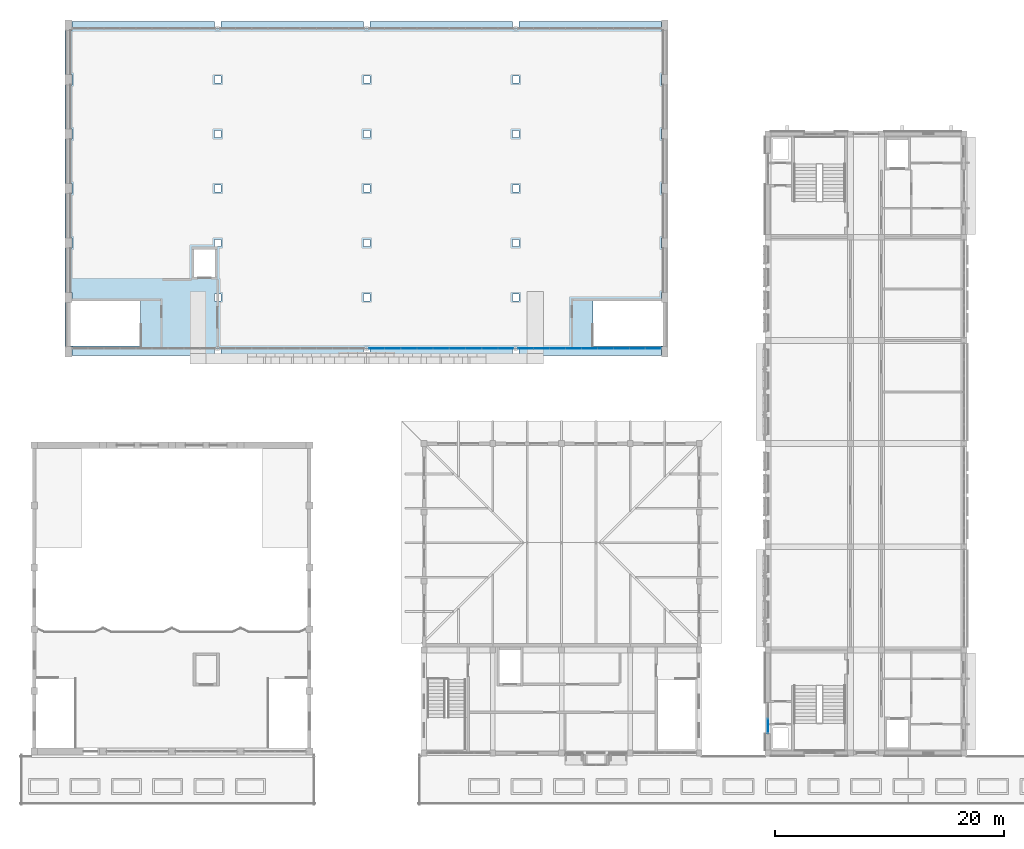
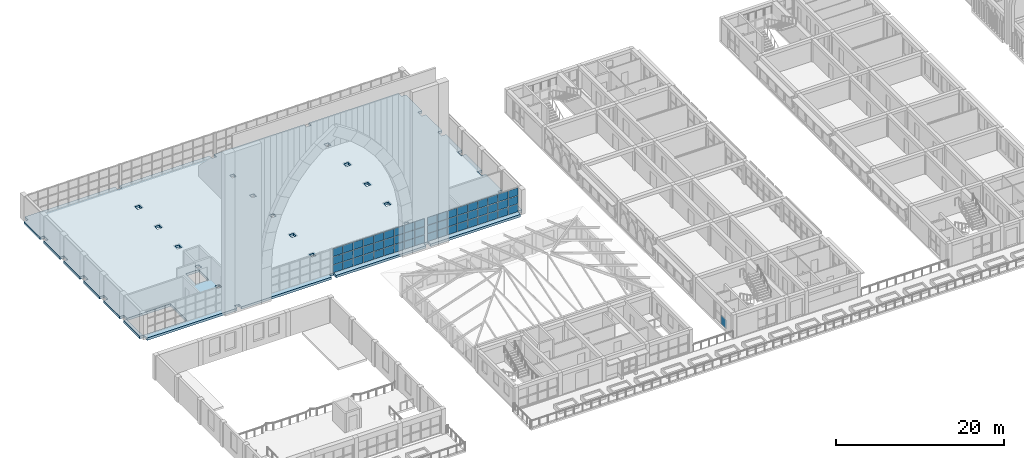
# One storey, part 36 of 82: 55 plates, 1 slab, 3 elements without a shape of their own.
"""IFC4 building model written with IfcOpenShell, lengths in metres."""

from ifc_helpers import new_model, si_unit, direction, frame, origin, origin_2d, place, context, subcontext, project, spatial, polyline, rectangle, outline, extrude, material, layer, layer_set, type_object, element, aggregate, save


model = new_model("IFC4")

# Units and contexts
model_context = context("Model", 3, precision=1e-05, world=origin(), true_north=direction((0.0, 1.0)))
body_context = subcontext(model_context, "Body", "Model", "MODEL_VIEW")
ifc_project = project(units=[si_unit("LENGTHUNIT", "METRE"), si_unit("AREAUNIT", "SQUARE_METRE"), si_unit("VOLUMEUNIT", "CUBIC_METRE"), si_unit("PLANEANGLEUNIT", "RADIAN"), si_unit("MASSUNIT", "GRAM", prefix="KILO")], contexts=[model_context])

# Site, building, storey
site_placement = place(None, origin())
site = spatial("IfcSite", under=ifc_project, at=site_placement, CompositionType="ELEMENT")
building_placement = place(site_placement, origin())
building = spatial("IfcBuilding", under=site, at=building_placement, Name="Elbe Cascade School", CompositionType="ELEMENT")
storey_placement = place(building_placement, frame((0.0, 0.0, 4.5)))
storey = spatial("IfcBuildingStorey", under=building, at=storey_placement, Name="L01", CompositionType="ELEMENT", Elevation=4.5)

# Curtain wall, plate
ifc_material_1 = material(Name="Aluminium frame with double glazing, bronze anodised", Category="aluminium")
ifc_layer_1 = layer(ifc_material_1, 0.159912109375)
ifc_layer_set_1 = layer_set([ifc_layer_1], Name="Aluminium frame with double glazing, bronze anodised")
curtain_wall_type_1 = type_object("IfcCurtainWallType", Name="Bars envelope Curtain wall, aluminium, bronze anodised, storey-high slot", PredefinedType="NOTDEFINED", material=ifc_layer_set_1)
curtain_wall_1_placement = place(storey_placement, origin())
curtain_wall_1 = element("IfcCurtainWall", 1, at=curtain_wall_1_placement, inside=storey, type_object=curtain_wall_type_1, Name="Curtain wall CW4 A.L01.w1", PredefinedType="NOTDEFINED")
ifc_material_2 = material(Name="Glass - double glazed low-E", Category="glass")
ifc_layer_2 = layer(ifc_material_2, 0.028076171875)
ifc_layer_set_2 = layer_set([ifc_layer_2], Name="Glass - double glazed low-E")
plate_type_1 = type_object("IfcPlateType", Name="Bars envelope Curtain wall glazing panel 28 mm, double glazed, storey-high slot", PredefinedType="CURTAIN_PANEL", material=ifc_layer_set_2)
plate_1_placement = place(storey_placement, frame((69.0, 8.3798828125, 0.06005859375), z_axis=(0.0, 0.0, 1.0), x_axis=(0.0, 1.0, 0.0)))
plate_1 = element("IfcPlate", 2, at=plate_1_placement, type_object=plate_type_1, Name="CW4 panel 1.1", PredefinedType="CURTAIN_PANEL", context=body_context, shape_type="SweptSolid", body=[
    extrude(rectangle(XDim=1.260009765625, YDim=0.028076171875, at=origin_2d()), origin(), (0.0, 0.0, 1.0), 1.260009765625),
])
aggregate(curtain_wall_1, [plate_1])

# Slab
ifc_material_3 = material(Name="Concrete C35/45", Category="concrete")
ifc_layer_3 = layer(ifc_material_3, 0.35009765625)
ifc_layer_set_3 = layer_set([ifc_layer_3], Name="Concrete C35/45")
slab_type = type_object("IfcSlabType", Name="Hall floor slab Concrete C35/45", PredefinedType="FLOOR", material=ifc_layer_set_3)
slab_placement = place(storey_placement, frame((0.0, 0.0, -0.35009765625)))
element("IfcSlab", 3, at=slab_placement, inside=storey, type_object=slab_type, Name="Hall floor slab", PredefinedType="FLOOR", context=body_context, shape_type="SweptSolid", body=[
    extrude(outline(polyline([(60.300048828125, 41.449951171875), (59.699951171875, 41.449951171875), (59.699951171875, 40.699951171875), (47.300048828125, 40.699951171875), (47.300048828125, 41.300048828125), (46.699951171875, 41.300048828125), (46.699951171875, 40.699951171875), (34.300048828125, 40.699951171875), (34.300048828125, 41.300048828125), (33.699951171875, 41.300048828125), (33.699951171875, 40.699951171875), (21.300048828125, 40.699951171875), (21.300048828125, 41.300048828125), (20.699951171875, 41.300048828125), (20.699951171875, 40.699951171875), (8.300048828125, 40.699951171875), (8.300048828125, 41.449951171875), (7.699951171875, 41.449951171875), (7.699951171875, 45.300048828125), (8.14990234375, 45.300048828125), (8.14990234375, 41.5), (14.280029296875, 41.5), (14.280029296875, 45.449951171875), (8.300048828125, 45.449951171875), (8.300048828125, 46.199951171875), (7.699951171875, 46.199951171875), (7.699951171875, 50.050048828125), (8.300048828125, 50.050048828125), (8.300048828125, 50.949951171875), (7.699951171875, 50.949951171875), (7.699951171875, 54.800048828125), (8.300048828125, 54.800048828125), (8.300048828125, 55.699951171875), (7.699951171875, 55.699951171875), (7.699951171875, 59.550048828125), (8.300048828125, 59.550048828125), (8.300048828125, 60.449951171875), (7.699951171875, 60.449951171875), (7.699951171875, 64.300048828125), (8.300048828125, 64.300048828125), (8.300048828125, 65.199951171875), (7.699951171875, 65.199951171875), (7.699951171875, 69.050048828125), (8.300048828125, 69.050048828125), (8.300048828125, 69.800048828125), (20.699951171875, 69.800048828125), (20.699951171875, 69.199951171875), (21.300048828125, 69.199951171875), (21.300048828125, 69.800048828125), (33.699951171875, 69.800048828125), (33.699951171875, 69.199951171875), (34.300048828125, 69.199951171875), (34.300048828125, 69.800048828125), (46.699951171875, 69.800048828125), (46.699951171875, 69.199951171875), (47.300048828125, 69.199951171875), (47.300048828125, 69.800048828125), (59.699951171875, 69.800048828125), (59.699951171875, 69.050048828125), (60.300048828125, 69.050048828125), (60.300048828125, 65.199951171875), (59.699951171875, 65.199951171875), (59.699951171875, 64.300048828125), (60.300048828125, 64.300048828125), (60.300048828125, 60.449951171875), (59.699951171875, 60.449951171875), (59.699951171875, 59.550048828125), (60.300048828125, 59.550048828125), (60.300048828125, 55.699951171875), (59.699951171875, 55.699951171875), (59.699951171875, 54.800048828125), (60.300048828125, 54.800048828125), (60.300048828125, 50.949951171875), (59.699951171875, 50.949951171875), (59.699951171875, 50.050048828125), (60.300048828125, 50.050048828125), (60.300048828125, 46.199951171875), (59.699951171875, 46.199951171875), (59.699951171875, 45.449951171875), (53.719970703125, 45.449951171875), (53.719970703125, 41.5), (59.85009765625, 41.5), (59.85009765625, 45.300048828125), (60.300048828125, 45.300048828125), (60.300048828125, 41.449951171875)]), holes=[polyline([(21.300048828125, 45.449951171875), (21.300048828125, 46.050048828125), (20.699951171875, 46.050048828125), (20.699951171875, 45.449951171875), (21.300048828125, 45.449951171875)]), polyline([(20.75, 47.550048828125), (20.75, 49.949951171875), (18.949951171875, 49.949951171875), (18.949951171875, 47.550048828125), (20.75, 47.550048828125)]), polyline([(20.699951171875, 50.199951171875), (21.300048828125, 50.199951171875), (21.300048828125, 50.800048828125), (20.699951171875, 50.800048828125), (20.699951171875, 50.199951171875)]), polyline([(21.300048828125, 54.949951171875), (21.300048828125, 55.550048828125), (20.699951171875, 55.550048828125), (20.699951171875, 54.949951171875), (21.300048828125, 54.949951171875)]), polyline([(21.300048828125, 59.699951171875), (21.300048828125, 60.300048828125), (20.699951171875, 60.300048828125), (20.699951171875, 59.699951171875), (21.300048828125, 59.699951171875)]), polyline([(33.699951171875, 59.699951171875), (34.300048828125, 59.699951171875), (34.300048828125, 60.300048828125), (33.699951171875, 60.300048828125), (33.699951171875, 59.699951171875)]), polyline([(21.300048828125, 64.449951171875), (21.300048828125, 65.050048828125), (20.699951171875, 65.050048828125), (20.699951171875, 64.449951171875), (21.300048828125, 64.449951171875)]), polyline([(34.300048828125, 64.449951171875), (34.300048828125, 65.050048828125), (33.699951171875, 65.050048828125), (33.699951171875, 64.449951171875), (34.300048828125, 64.449951171875)]), polyline([(34.300048828125, 45.449951171875), (34.300048828125, 46.050048828125), (33.699951171875, 46.050048828125), (33.699951171875, 45.449951171875), (34.300048828125, 45.449951171875)]), polyline([(47.300048828125, 45.449951171875), (47.300048828125, 46.050048828125), (46.699951171875, 46.050048828125), (46.699951171875, 45.449951171875), (47.300048828125, 45.449951171875)]), polyline([(33.699951171875, 50.199951171875), (34.300048828125, 50.199951171875), (34.300048828125, 50.800048828125), (33.699951171875, 50.800048828125), (33.699951171875, 50.199951171875)]), polyline([(47.300048828125, 50.199951171875), (47.300048828125, 50.800048828125), (46.699951171875, 50.800048828125), (46.699951171875, 50.199951171875), (47.300048828125, 50.199951171875)]), polyline([(47.300048828125, 54.949951171875), (47.300048828125, 55.550048828125), (46.699951171875, 55.550048828125), (46.699951171875, 54.949951171875), (47.300048828125, 54.949951171875)]), polyline([(34.300048828125, 54.949951171875), (34.300048828125, 55.550048828125), (33.699951171875, 55.550048828125), (33.699951171875, 54.949951171875), (34.300048828125, 54.949951171875)]), polyline([(46.699951171875, 59.699951171875), (47.300048828125, 59.699951171875), (47.300048828125, 60.300048828125), (46.699951171875, 60.300048828125), (46.699951171875, 59.699951171875)]), polyline([(47.300048828125, 64.449951171875), (47.300048828125, 65.050048828125), (46.699951171875, 65.050048828125), (46.699951171875, 64.449951171875), (47.300048828125, 64.449951171875)])]), origin(), (0.0, 0.0, 1.0), 0.35009765625),
])

# Curtain wall, plates
ifc_material_4 = material(Name="Glass - double glazed low-E", Category="glass")
curtain_wall_type_2 = type_object("IfcCurtainWallType", Name="Hall gable curtain wall", PredefinedType="NOTDEFINED", material=ifc_material_4)
curtain_wall_2_placement = place(storey_placement, origin())
curtain_wall_2 = element("IfcCurtainWall", 4, at=curtain_wall_2_placement, inside=storey, type_object=curtain_wall_type_2, Name="Gable curtain wall S3", PredefinedType="NOTDEFINED")
ifc_material_5 = material(Name="Glass - double glazed low-E", Category="glass")
ifc_layer_4 = layer(ifc_material_5, 0.028076171875)
ifc_layer_set_4 = layer_set([ifc_layer_4], Name="Glass - double glazed low-E")
plate_type_2 = type_object("IfcPlateType", Name="Hall gable glass panel", PredefinedType="CURTAIN_PANEL", material=ifc_layer_set_4)
plate_2_placement = place(storey_placement, frame((34.87060546875, 41.300048828125, 0.06005859375), z_axis=(0.0, 0.0, 1.0), x_axis=(1.0, 0.0, 0.0)))
plate_2 = element("IfcPlate", 5, at=plate_2_placement, type_object=plate_type_2, Name="CW6 panel 1.1", PredefinedType="CURTAIN_PANEL", context=body_context, shape_type="SweptSolid", body=[
    extrude(rectangle(XDim=1.321044921875, YDim=0.028076171875, at=origin_2d()), origin(), (0.0, 0.0, 1.0), 1.110107421875),
])
plate_3_placement = place(storey_placement, frame((34.87060546875, 41.300048828125, 1.22998046875), z_axis=(0.0, 0.0, 1.0), x_axis=(1.0, 0.0, 0.0)))
plate_3 = element("IfcPlate", 6, at=plate_3_placement, type_object=plate_type_2, Name="CW6 panel 1.2", PredefinedType="CURTAIN_PANEL", context=body_context, shape_type="SweptSolid", body=[
    extrude(rectangle(XDim=1.321044921875, YDim=0.028076171875, at=origin_2d()), origin(), (0.0, 0.0, 1.0), 1.139892578125),
])
plate_4_placement = place(storey_placement, frame((34.87060546875, 41.300048828125, 2.43017578125), z_axis=(0.0, 0.0, 1.0), x_axis=(1.0, 0.0, 0.0)))
plate_4 = element("IfcPlate", 7, at=plate_4_placement, type_object=plate_type_2, Name="CW6 panel 1.3", PredefinedType="CURTAIN_PANEL", context=body_context, shape_type="SweptSolid", body=[
    extrude(rectangle(XDim=1.321044921875, YDim=0.028076171875, at=origin_2d()), origin(), (0.0, 0.0, 1.0), 1.110107421875),
])
plate_5_placement = place(storey_placement, frame((36.2666015625, 41.300048828125, 0.06005859375), z_axis=(0.0, 0.0, 1.0), x_axis=(1.0, 0.0, 0.0)))
plate_5 = element("IfcPlate", 8, at=plate_5_placement, type_object=plate_type_2, Name="CW6 panel 2.1", PredefinedType="CURTAIN_PANEL", context=body_context, shape_type="SweptSolid", body=[
    extrude(rectangle(XDim=1.35107421875, YDim=0.028076171875, at=origin_2d()), origin(), (0.0, 0.0, 1.0), 1.110107421875),
])
plate_6_placement = place(storey_placement, frame((36.2666015625, 41.300048828125, 1.22998046875), z_axis=(0.0, 0.0, 1.0), x_axis=(1.0, 0.0, 0.0)))
plate_6 = element("IfcPlate", 9, at=plate_6_placement, type_object=plate_type_2, Name="CW6 panel 2.2", PredefinedType="CURTAIN_PANEL", context=body_context, shape_type="SweptSolid", body=[
    extrude(rectangle(XDim=1.35107421875, YDim=0.028076171875, at=origin_2d()), origin(), (0.0, 0.0, 1.0), 1.139892578125),
])
plate_7_placement = place(storey_placement, frame((36.2666015625, 41.300048828125, 2.43017578125), z_axis=(0.0, 0.0, 1.0), x_axis=(1.0, 0.0, 0.0)))
plate_7 = element("IfcPlate", 10, at=plate_7_placement, type_object=plate_type_2, Name="CW6 panel 2.3", PredefinedType="CURTAIN_PANEL", context=body_context, shape_type="SweptSolid", body=[
    extrude(rectangle(XDim=1.35107421875, YDim=0.028076171875, at=origin_2d()), origin(), (0.0, 0.0, 1.0), 1.110107421875),
])
plate_8_placement = place(storey_placement, frame((37.677734375, 41.300048828125, 0.06005859375), z_axis=(0.0, 0.0, 1.0), x_axis=(1.0, 0.0, 0.0)))
plate_8 = element("IfcPlate", 11, at=plate_8_placement, type_object=plate_type_2, Name="CW6 panel 3.1", PredefinedType="CURTAIN_PANEL", context=body_context, shape_type="SweptSolid", body=[
    extrude(rectangle(XDim=1.35107421875, YDim=0.028076171875, at=origin_2d()), origin(), (0.0, 0.0, 1.0), 1.110107421875),
])
plate_9_placement = place(storey_placement, frame((37.677734375, 41.300048828125, 1.22998046875), z_axis=(0.0, 0.0, 1.0), x_axis=(1.0, 0.0, 0.0)))
plate_9 = element("IfcPlate", 12, at=plate_9_placement, type_object=plate_type_2, Name="CW6 panel 3.2", PredefinedType="CURTAIN_PANEL", context=body_context, shape_type="SweptSolid", body=[
    extrude(rectangle(XDim=1.35107421875, YDim=0.028076171875, at=origin_2d()), origin(), (0.0, 0.0, 1.0), 1.139892578125),
])
plate_10_placement = place(storey_placement, frame((37.677734375, 41.300048828125, 2.43017578125), z_axis=(0.0, 0.0, 1.0), x_axis=(1.0, 0.0, 0.0)))
plate_10 = element("IfcPlate", 13, at=plate_10_placement, type_object=plate_type_2, Name="CW6 panel 3.3", PredefinedType="CURTAIN_PANEL", context=body_context, shape_type="SweptSolid", body=[
    extrude(rectangle(XDim=1.35107421875, YDim=0.028076171875, at=origin_2d()), origin(), (0.0, 0.0, 1.0), 1.110107421875),
])
plate_11_placement = place(storey_placement, frame((39.0888671875, 41.300048828125, 0.06005859375), z_axis=(0.0, 0.0, 1.0), x_axis=(1.0, 0.0, 0.0)))
plate_11 = element("IfcPlate", 14, at=plate_11_placement, type_object=plate_type_2, Name="CW6 panel 4.1", PredefinedType="CURTAIN_PANEL", context=body_context, shape_type="SweptSolid", body=[
    extrude(rectangle(XDim=1.35107421875, YDim=0.028076171875, at=origin_2d()), origin(), (0.0, 0.0, 1.0), 1.110107421875),
])
plate_12_placement = place(storey_placement, frame((39.0888671875, 41.300048828125, 1.22998046875), z_axis=(0.0, 0.0, 1.0), x_axis=(1.0, 0.0, 0.0)))
plate_12 = element("IfcPlate", 15, at=plate_12_placement, type_object=plate_type_2, Name="CW6 panel 4.2", PredefinedType="CURTAIN_PANEL", context=body_context, shape_type="SweptSolid", body=[
    extrude(rectangle(XDim=1.35107421875, YDim=0.028076171875, at=origin_2d()), origin(), (0.0, 0.0, 1.0), 1.139892578125),
])
plate_13_placement = place(storey_placement, frame((39.0888671875, 41.300048828125, 2.43017578125), z_axis=(0.0, 0.0, 1.0), x_axis=(1.0, 0.0, 0.0)))
plate_13 = element("IfcPlate", 16, at=plate_13_placement, type_object=plate_type_2, Name="CW6 panel 4.3", PredefinedType="CURTAIN_PANEL", context=body_context, shape_type="SweptSolid", body=[
    extrude(rectangle(XDim=1.35107421875, YDim=0.028076171875, at=origin_2d()), origin(), (0.0, 0.0, 1.0), 1.110107421875),
])
plate_14_placement = place(storey_placement, frame((40.5, 41.300048828125, 0.06005859375), z_axis=(0.0, 0.0, 1.0), x_axis=(1.0, 0.0, 0.0)))
plate_14 = element("IfcPlate", 17, at=plate_14_placement, type_object=plate_type_2, Name="CW6 panel 5.1", PredefinedType="CURTAIN_PANEL", context=body_context, shape_type="SweptSolid", body=[
    extrude(rectangle(XDim=1.35107421875, YDim=0.028076171875, at=origin_2d()), origin(), (0.0, 0.0, 1.0), 1.110107421875),
])
plate_15_placement = place(storey_placement, frame((40.5, 41.300048828125, 1.22998046875), z_axis=(0.0, 0.0, 1.0), x_axis=(1.0, 0.0, 0.0)))
plate_15 = element("IfcPlate", 18, at=plate_15_placement, type_object=plate_type_2, Name="CW6 panel 5.2", PredefinedType="CURTAIN_PANEL", context=body_context, shape_type="SweptSolid", body=[
    extrude(rectangle(XDim=1.35107421875, YDim=0.028076171875, at=origin_2d()), origin(), (0.0, 0.0, 1.0), 1.139892578125),
])
plate_16_placement = place(storey_placement, frame((40.5, 41.300048828125, 2.43017578125), z_axis=(0.0, 0.0, 1.0), x_axis=(1.0, 0.0, 0.0)))
plate_16 = element("IfcPlate", 19, at=plate_16_placement, type_object=plate_type_2, Name="CW6 panel 5.3", PredefinedType="CURTAIN_PANEL", context=body_context, shape_type="SweptSolid", body=[
    extrude(rectangle(XDim=1.35107421875, YDim=0.028076171875, at=origin_2d()), origin(), (0.0, 0.0, 1.0), 1.110107421875),
])
plate_17_placement = place(storey_placement, frame((41.9111328125, 41.300048828125, 0.06005859375), z_axis=(0.0, 0.0, 1.0), x_axis=(1.0, 0.0, 0.0)))
plate_17 = element("IfcPlate", 20, at=plate_17_placement, type_object=plate_type_2, Name="CW6 panel 6.1", PredefinedType="CURTAIN_PANEL", context=body_context, shape_type="SweptSolid", body=[
    extrude(rectangle(XDim=1.35107421875, YDim=0.028076171875, at=origin_2d()), origin(), (0.0, 0.0, 1.0), 1.110107421875),
])
plate_18_placement = place(storey_placement, frame((41.9111328125, 41.300048828125, 1.22998046875), z_axis=(0.0, 0.0, 1.0), x_axis=(1.0, 0.0, 0.0)))
plate_18 = element("IfcPlate", 21, at=plate_18_placement, type_object=plate_type_2, Name="CW6 panel 6.2", PredefinedType="CURTAIN_PANEL", context=body_context, shape_type="SweptSolid", body=[
    extrude(rectangle(XDim=1.35107421875, YDim=0.028076171875, at=origin_2d()), origin(), (0.0, 0.0, 1.0), 1.139892578125),
])
plate_19_placement = place(storey_placement, frame((41.9111328125, 41.300048828125, 2.43017578125), z_axis=(0.0, 0.0, 1.0), x_axis=(1.0, 0.0, 0.0)))
plate_19 = element("IfcPlate", 22, at=plate_19_placement, type_object=plate_type_2, Name="CW6 panel 6.3", PredefinedType="CURTAIN_PANEL", context=body_context, shape_type="SweptSolid", body=[
    extrude(rectangle(XDim=1.35107421875, YDim=0.028076171875, at=origin_2d()), origin(), (0.0, 0.0, 1.0), 1.110107421875),
])
plate_20_placement = place(storey_placement, frame((43.322265625, 41.300048828125, 0.06005859375), z_axis=(0.0, 0.0, 1.0), x_axis=(1.0, 0.0, 0.0)))
plate_20 = element("IfcPlate", 23, at=plate_20_placement, type_object=plate_type_2, Name="CW6 panel 7.1", PredefinedType="CURTAIN_PANEL", context=body_context, shape_type="SweptSolid", body=[
    extrude(rectangle(XDim=1.35107421875, YDim=0.028076171875, at=origin_2d()), origin(), (0.0, 0.0, 1.0), 1.110107421875),
])
plate_21_placement = place(storey_placement, frame((43.322265625, 41.300048828125, 1.22998046875), z_axis=(0.0, 0.0, 1.0), x_axis=(1.0, 0.0, 0.0)))
plate_21 = element("IfcPlate", 24, at=plate_21_placement, type_object=plate_type_2, Name="CW6 panel 7.2", PredefinedType="CURTAIN_PANEL", context=body_context, shape_type="SweptSolid", body=[
    extrude(rectangle(XDim=1.35107421875, YDim=0.028076171875, at=origin_2d()), origin(), (0.0, 0.0, 1.0), 1.139892578125),
])
plate_22_placement = place(storey_placement, frame((43.322265625, 41.300048828125, 2.43017578125), z_axis=(0.0, 0.0, 1.0), x_axis=(1.0, 0.0, 0.0)))
plate_22 = element("IfcPlate", 25, at=plate_22_placement, type_object=plate_type_2, Name="CW6 panel 7.3", PredefinedType="CURTAIN_PANEL", context=body_context, shape_type="SweptSolid", body=[
    extrude(rectangle(XDim=1.35107421875, YDim=0.028076171875, at=origin_2d()), origin(), (0.0, 0.0, 1.0), 1.110107421875),
])
plate_23_placement = place(storey_placement, frame((44.7333984375, 41.300048828125, 0.06005859375), z_axis=(0.0, 0.0, 1.0), x_axis=(1.0, 0.0, 0.0)))
plate_23 = element("IfcPlate", 26, at=plate_23_placement, type_object=plate_type_2, Name="CW6 panel 8.1", PredefinedType="CURTAIN_PANEL", context=body_context, shape_type="SweptSolid", body=[
    extrude(rectangle(XDim=1.35107421875, YDim=0.028076171875, at=origin_2d()), origin(), (0.0, 0.0, 1.0), 1.110107421875),
])
plate_24_placement = place(storey_placement, frame((44.7333984375, 41.300048828125, 1.22998046875), z_axis=(0.0, 0.0, 1.0), x_axis=(1.0, 0.0, 0.0)))
plate_24 = element("IfcPlate", 27, at=plate_24_placement, type_object=plate_type_2, Name="CW6 panel 8.2", PredefinedType="CURTAIN_PANEL", context=body_context, shape_type="SweptSolid", body=[
    extrude(rectangle(XDim=1.35107421875, YDim=0.028076171875, at=origin_2d()), origin(), (0.0, 0.0, 1.0), 1.139892578125),
])
plate_25_placement = place(storey_placement, frame((44.7333984375, 41.300048828125, 2.43017578125), z_axis=(0.0, 0.0, 1.0), x_axis=(1.0, 0.0, 0.0)))
plate_25 = element("IfcPlate", 28, at=plate_25_placement, type_object=plate_type_2, Name="CW6 panel 8.3", PredefinedType="CURTAIN_PANEL", context=body_context, shape_type="SweptSolid", body=[
    extrude(rectangle(XDim=1.35107421875, YDim=0.028076171875, at=origin_2d()), origin(), (0.0, 0.0, 1.0), 1.110107421875),
])
plate_26_placement = place(storey_placement, frame((46.12939453125, 41.300048828125, 0.06005859375), z_axis=(0.0, 0.0, 1.0), x_axis=(1.0, 0.0, 0.0)))
plate_26 = element("IfcPlate", 29, at=plate_26_placement, type_object=plate_type_2, Name="CW6 panel 9.1", PredefinedType="CURTAIN_PANEL", context=body_context, shape_type="SweptSolid", body=[
    extrude(rectangle(XDim=1.321044921875, YDim=0.028076171875, at=origin_2d()), origin(), (0.0, 0.0, 1.0), 1.110107421875),
])
plate_27_placement = place(storey_placement, frame((46.12939453125, 41.300048828125, 1.22998046875), z_axis=(0.0, 0.0, 1.0), x_axis=(1.0, 0.0, 0.0)))
plate_27 = element("IfcPlate", 30, at=plate_27_placement, type_object=plate_type_2, Name="CW6 panel 9.2", PredefinedType="CURTAIN_PANEL", context=body_context, shape_type="SweptSolid", body=[
    extrude(rectangle(XDim=1.321044921875, YDim=0.028076171875, at=origin_2d()), origin(), (0.0, 0.0, 1.0), 1.139892578125),
])
plate_28_placement = place(storey_placement, frame((46.12939453125, 41.300048828125, 2.43017578125), z_axis=(0.0, 0.0, 1.0), x_axis=(1.0, 0.0, 0.0)))
plate_28 = element("IfcPlate", 31, at=plate_28_placement, type_object=plate_type_2, Name="CW6 panel 9.3", PredefinedType="CURTAIN_PANEL", context=body_context, shape_type="SweptSolid", body=[
    extrude(rectangle(XDim=1.321044921875, YDim=0.028076171875, at=origin_2d()), origin(), (0.0, 0.0, 1.0), 1.110107421875),
])
aggregate(curtain_wall_2, [plate_2, plate_3, plate_4, plate_5, plate_6, plate_7, plate_8, plate_9, plate_10, plate_11, plate_12, plate_13, plate_14, plate_15, plate_16, plate_17, plate_18, plate_19, plate_20, plate_21, plate_22, plate_23, plate_24, plate_25, plate_26, plate_27, plate_28])

curtain_wall_3_placement = place(storey_placement, origin())
curtain_wall_3 = element("IfcCurtainWall", 32, at=curtain_wall_3_placement, inside=storey, type_object=curtain_wall_type_2, Name="Gable curtain wall S4", PredefinedType="NOTDEFINED")
plate_29_placement = place(storey_placement, frame((47.8623046875, 41.300048828125, 0.06005859375), z_axis=(0.0, 0.0, 1.0), x_axis=(1.0, 0.0, 0.0)))
plate_29 = element("IfcPlate", 33, at=plate_29_placement, type_object=plate_type_2, Name="CW6 panel 1.1", PredefinedType="CURTAIN_PANEL", context=body_context, shape_type="SweptSolid", body=[
    extrude(rectangle(XDim=1.304443359375, YDim=0.028076171875, at=origin_2d()), origin(), (0.0, 0.0, 1.0), 1.110107421875),
])
plate_30_placement = place(storey_placement, frame((47.8623046875, 41.300048828125, 1.22998046875), z_axis=(0.0, 0.0, 1.0), x_axis=(1.0, 0.0, 0.0)))
plate_30 = element("IfcPlate", 34, at=plate_30_placement, type_object=plate_type_2, Name="CW6 panel 1.2", PredefinedType="CURTAIN_PANEL", context=body_context, shape_type="SweptSolid", body=[
    extrude(rectangle(XDim=1.304443359375, YDim=0.028076171875, at=origin_2d()), origin(), (0.0, 0.0, 1.0), 1.139892578125),
])
plate_31_placement = place(storey_placement, frame((47.8623046875, 41.300048828125, 2.43017578125), z_axis=(0.0, 0.0, 1.0), x_axis=(1.0, 0.0, 0.0)))
plate_31 = element("IfcPlate", 35, at=plate_31_placement, type_object=plate_type_2, Name="CW6 panel 1.3", PredefinedType="CURTAIN_PANEL", context=body_context, shape_type="SweptSolid", body=[
    extrude(rectangle(XDim=1.304443359375, YDim=0.028076171875, at=origin_2d()), origin(), (0.0, 0.0, 1.0), 1.110107421875),
])
plate_32_placement = place(storey_placement, frame((49.24169921875, 41.300048828125, 0.06005859375), z_axis=(0.0, 0.0, 1.0), x_axis=(1.0, 0.0, 0.0)))
plate_32 = element("IfcPlate", 36, at=plate_32_placement, type_object=plate_type_2, Name="CW6 panel 2.1", PredefinedType="CURTAIN_PANEL", context=body_context, shape_type="SweptSolid", body=[
    extrude(rectangle(XDim=1.33447265625, YDim=0.028076171875, at=origin_2d()), origin(), (0.0, 0.0, 1.0), 1.110107421875),
])
plate_33_placement = place(storey_placement, frame((49.24169921875, 41.300048828125, 1.22998046875), z_axis=(0.0, 0.0, 1.0), x_axis=(1.0, 0.0, 0.0)))
plate_33 = element("IfcPlate", 37, at=plate_33_placement, type_object=plate_type_2, Name="CW6 panel 2.2", PredefinedType="CURTAIN_PANEL", context=body_context, shape_type="SweptSolid", body=[
    extrude(rectangle(XDim=1.33447265625, YDim=0.028076171875, at=origin_2d()), origin(), (0.0, 0.0, 1.0), 1.139892578125),
])
plate_34_placement = place(storey_placement, frame((49.24169921875, 41.300048828125, 2.43017578125), z_axis=(0.0, 0.0, 1.0), x_axis=(1.0, 0.0, 0.0)))
plate_34 = element("IfcPlate", 38, at=plate_34_placement, type_object=plate_type_2, Name="CW6 panel 2.3", PredefinedType="CURTAIN_PANEL", context=body_context, shape_type="SweptSolid", body=[
    extrude(rectangle(XDim=1.33447265625, YDim=0.028076171875, at=origin_2d()), origin(), (0.0, 0.0, 1.0), 1.110107421875),
])
plate_35_placement = place(storey_placement, frame((50.63623046875, 41.300048828125, 0.06005859375), z_axis=(0.0, 0.0, 1.0), x_axis=(1.0, 0.0, 0.0)))
plate_35 = element("IfcPlate", 39, at=plate_35_placement, type_object=plate_type_2, Name="CW6 panel 3.1", PredefinedType="CURTAIN_PANEL", context=body_context, shape_type="SweptSolid", body=[
    extrude(rectangle(XDim=1.33447265625, YDim=0.028076171875, at=origin_2d()), origin(), (0.0, 0.0, 1.0), 1.110107421875),
])
plate_36_placement = place(storey_placement, frame((50.63623046875, 41.300048828125, 1.22998046875), z_axis=(0.0, 0.0, 1.0), x_axis=(1.0, 0.0, 0.0)))
plate_36 = element("IfcPlate", 40, at=plate_36_placement, type_object=plate_type_2, Name="CW6 panel 3.2", PredefinedType="CURTAIN_PANEL", context=body_context, shape_type="SweptSolid", body=[
    extrude(rectangle(XDim=1.33447265625, YDim=0.028076171875, at=origin_2d()), origin(), (0.0, 0.0, 1.0), 1.139892578125),
])
plate_37_placement = place(storey_placement, frame((50.63623046875, 41.300048828125, 2.43017578125), z_axis=(0.0, 0.0, 1.0), x_axis=(1.0, 0.0, 0.0)))
plate_37 = element("IfcPlate", 41, at=plate_37_placement, type_object=plate_type_2, Name="CW6 panel 3.3", PredefinedType="CURTAIN_PANEL", context=body_context, shape_type="SweptSolid", body=[
    extrude(rectangle(XDim=1.33447265625, YDim=0.028076171875, at=origin_2d()), origin(), (0.0, 0.0, 1.0), 1.110107421875),
])
plate_38_placement = place(storey_placement, frame((52.030517578125, 41.300048828125, 0.06005859375), z_axis=(0.0, 0.0, 1.0), x_axis=(1.0, 0.0, 0.0)))
plate_38 = element("IfcPlate", 42, at=plate_38_placement, type_object=plate_type_2, Name="CW6 panel 4.1", PredefinedType="CURTAIN_PANEL", context=body_context, shape_type="SweptSolid", body=[
    extrude(rectangle(XDim=1.33447265625, YDim=0.028076171875, at=origin_2d()), origin(), (0.0, 0.0, 1.0), 1.110107421875),
])
plate_39_placement = place(storey_placement, frame((52.030517578125, 41.300048828125, 1.22998046875), z_axis=(0.0, 0.0, 1.0), x_axis=(1.0, 0.0, 0.0)))
plate_39 = element("IfcPlate", 43, at=plate_39_placement, type_object=plate_type_2, Name="CW6 panel 4.2", PredefinedType="CURTAIN_PANEL", context=body_context, shape_type="SweptSolid", body=[
    extrude(rectangle(XDim=1.33447265625, YDim=0.028076171875, at=origin_2d()), origin(), (0.0, 0.0, 1.0), 1.139892578125),
])
plate_40_placement = place(storey_placement, frame((52.030517578125, 41.300048828125, 2.43017578125), z_axis=(0.0, 0.0, 1.0), x_axis=(1.0, 0.0, 0.0)))
plate_40 = element("IfcPlate", 44, at=plate_40_placement, type_object=plate_type_2, Name="CW6 panel 4.3", PredefinedType="CURTAIN_PANEL", context=body_context, shape_type="SweptSolid", body=[
    extrude(rectangle(XDim=1.33447265625, YDim=0.028076171875, at=origin_2d()), origin(), (0.0, 0.0, 1.0), 1.110107421875),
])
plate_41_placement = place(storey_placement, frame((53.425048828125, 41.300048828125, 0.06005859375), z_axis=(0.0, 0.0, 1.0), x_axis=(1.0, 0.0, 0.0)))
plate_41 = element("IfcPlate", 45, at=plate_41_placement, type_object=plate_type_2, Name="CW6 panel 5.1", PredefinedType="CURTAIN_PANEL", context=body_context, shape_type="SweptSolid", body=[
    extrude(rectangle(XDim=1.33447265625, YDim=0.028076171875, at=origin_2d()), origin(), (0.0, 0.0, 1.0), 1.110107421875),
])
plate_42_placement = place(storey_placement, frame((53.425048828125, 41.300048828125, 1.22998046875), z_axis=(0.0, 0.0, 1.0), x_axis=(1.0, 0.0, 0.0)))
plate_42 = element("IfcPlate", 46, at=plate_42_placement, type_object=plate_type_2, Name="CW6 panel 5.2", PredefinedType="CURTAIN_PANEL", context=body_context, shape_type="SweptSolid", body=[
    extrude(rectangle(XDim=1.33447265625, YDim=0.028076171875, at=origin_2d()), origin(), (0.0, 0.0, 1.0), 1.139892578125),
])
plate_43_placement = place(storey_placement, frame((53.425048828125, 41.300048828125, 2.43017578125), z_axis=(0.0, 0.0, 1.0), x_axis=(1.0, 0.0, 0.0)))
plate_43 = element("IfcPlate", 47, at=plate_43_placement, type_object=plate_type_2, Name="CW6 panel 5.3", PredefinedType="CURTAIN_PANEL", context=body_context, shape_type="SweptSolid", body=[
    extrude(rectangle(XDim=1.33447265625, YDim=0.028076171875, at=origin_2d()), origin(), (0.0, 0.0, 1.0), 1.110107421875),
])
plate_44_placement = place(storey_placement, frame((54.8193359375, 41.300048828125, 0.06005859375), z_axis=(0.0, 0.0, 1.0), x_axis=(1.0, 0.0, 0.0)))
plate_44 = element("IfcPlate", 48, at=plate_44_placement, type_object=plate_type_2, Name="CW6 panel 6.1", PredefinedType="CURTAIN_PANEL", context=body_context, shape_type="SweptSolid", body=[
    extrude(rectangle(XDim=1.33447265625, YDim=0.028076171875, at=origin_2d()), origin(), (0.0, 0.0, 1.0), 1.110107421875),
])
plate_45_placement = place(storey_placement, frame((54.8193359375, 41.300048828125, 1.22998046875), z_axis=(0.0, 0.0, 1.0), x_axis=(1.0, 0.0, 0.0)))
plate_45 = element("IfcPlate", 49, at=plate_45_placement, type_object=plate_type_2, Name="CW6 panel 6.2", PredefinedType="CURTAIN_PANEL", context=body_context, shape_type="SweptSolid", body=[
    extrude(rectangle(XDim=1.33447265625, YDim=0.028076171875, at=origin_2d()), origin(), (0.0, 0.0, 1.0), 1.139892578125),
])
plate_46_placement = place(storey_placement, frame((54.8193359375, 41.300048828125, 2.43017578125), z_axis=(0.0, 0.0, 1.0), x_axis=(1.0, 0.0, 0.0)))
plate_46 = element("IfcPlate", 50, at=plate_46_placement, type_object=plate_type_2, Name="CW6 panel 6.3", PredefinedType="CURTAIN_PANEL", context=body_context, shape_type="SweptSolid", body=[
    extrude(rectangle(XDim=1.33447265625, YDim=0.028076171875, at=origin_2d()), origin(), (0.0, 0.0, 1.0), 1.110107421875),
])
plate_47_placement = place(storey_placement, frame((56.2138671875, 41.300048828125, 0.06005859375), z_axis=(0.0, 0.0, 1.0), x_axis=(1.0, 0.0, 0.0)))
plate_47 = element("IfcPlate", 51, at=plate_47_placement, type_object=plate_type_2, Name="CW6 panel 7.1", PredefinedType="CURTAIN_PANEL", context=body_context, shape_type="SweptSolid", body=[
    extrude(rectangle(XDim=1.33447265625, YDim=0.028076171875, at=origin_2d()), origin(), (0.0, 0.0, 1.0), 1.110107421875),
])
plate_48_placement = place(storey_placement, frame((56.2138671875, 41.300048828125, 1.22998046875), z_axis=(0.0, 0.0, 1.0), x_axis=(1.0, 0.0, 0.0)))
plate_48 = element("IfcPlate", 52, at=plate_48_placement, type_object=plate_type_2, Name="CW6 panel 7.2", PredefinedType="CURTAIN_PANEL", context=body_context, shape_type="SweptSolid", body=[
    extrude(rectangle(XDim=1.33447265625, YDim=0.028076171875, at=origin_2d()), origin(), (0.0, 0.0, 1.0), 1.139892578125),
])
plate_49_placement = place(storey_placement, frame((56.2138671875, 41.300048828125, 2.43017578125), z_axis=(0.0, 0.0, 1.0), x_axis=(1.0, 0.0, 0.0)))
plate_49 = element("IfcPlate", 53, at=plate_49_placement, type_object=plate_type_2, Name="CW6 panel 7.3", PredefinedType="CURTAIN_PANEL", context=body_context, shape_type="SweptSolid", body=[
    extrude(rectangle(XDim=1.33447265625, YDim=0.028076171875, at=origin_2d()), origin(), (0.0, 0.0, 1.0), 1.110107421875),
])
plate_50_placement = place(storey_placement, frame((57.6083984375, 41.300048828125, 0.06005859375), z_axis=(0.0, 0.0, 1.0), x_axis=(1.0, 0.0, 0.0)))
plate_50 = element("IfcPlate", 54, at=plate_50_placement, type_object=plate_type_2, Name="CW6 panel 8.1", PredefinedType="CURTAIN_PANEL", context=body_context, shape_type="SweptSolid", body=[
    extrude(rectangle(XDim=1.33447265625, YDim=0.028076171875, at=origin_2d()), origin(), (0.0, 0.0, 1.0), 1.110107421875),
])
plate_51_placement = place(storey_placement, frame((57.6083984375, 41.300048828125, 1.22998046875), z_axis=(0.0, 0.0, 1.0), x_axis=(1.0, 0.0, 0.0)))
plate_51 = element("IfcPlate", 55, at=plate_51_placement, type_object=plate_type_2, Name="CW6 panel 8.2", PredefinedType="CURTAIN_PANEL", context=body_context, shape_type="SweptSolid", body=[
    extrude(rectangle(XDim=1.33447265625, YDim=0.028076171875, at=origin_2d()), origin(), (0.0, 0.0, 1.0), 1.139892578125),
])
plate_52_placement = place(storey_placement, frame((57.6083984375, 41.300048828125, 2.43017578125), z_axis=(0.0, 0.0, 1.0), x_axis=(1.0, 0.0, 0.0)))
plate_52 = element("IfcPlate", 56, at=plate_52_placement, type_object=plate_type_2, Name="CW6 panel 8.3", PredefinedType="CURTAIN_PANEL", context=body_context, shape_type="SweptSolid", body=[
    extrude(rectangle(XDim=1.33447265625, YDim=0.028076171875, at=origin_2d()), origin(), (0.0, 0.0, 1.0), 1.110107421875),
])
plate_53_placement = place(storey_placement, frame((58.98779296875, 41.300048828125, 0.06005859375), z_axis=(0.0, 0.0, 1.0), x_axis=(1.0, 0.0, 0.0)))
plate_53 = element("IfcPlate", 57, at=plate_53_placement, type_object=plate_type_2, Name="CW6 panel 9.1", PredefinedType="CURTAIN_PANEL", context=body_context, shape_type="SweptSolid", body=[
    extrude(rectangle(XDim=1.304443359375, YDim=0.028076171875, at=origin_2d()), origin(), (0.0, 0.0, 1.0), 1.110107421875),
])
plate_54_placement = place(storey_placement, frame((58.98779296875, 41.300048828125, 1.22998046875), z_axis=(0.0, 0.0, 1.0), x_axis=(1.0, 0.0, 0.0)))
plate_54 = element("IfcPlate", 58, at=plate_54_placement, type_object=plate_type_2, Name="CW6 panel 9.2", PredefinedType="CURTAIN_PANEL", context=body_context, shape_type="SweptSolid", body=[
    extrude(rectangle(XDim=1.304443359375, YDim=0.028076171875, at=origin_2d()), origin(), (0.0, 0.0, 1.0), 1.139892578125),
])
plate_55_placement = place(storey_placement, frame((58.98779296875, 41.300048828125, 2.43017578125), z_axis=(0.0, 0.0, 1.0), x_axis=(1.0, 0.0, 0.0)))
plate_55 = element("IfcPlate", 59, at=plate_55_placement, type_object=plate_type_2, Name="CW6 panel 9.3", PredefinedType="CURTAIN_PANEL", context=body_context, shape_type="SweptSolid", body=[
    extrude(rectangle(XDim=1.304443359375, YDim=0.028076171875, at=origin_2d()), origin(), (0.0, 0.0, 1.0), 1.110107421875),
])
aggregate(curtain_wall_3, [plate_29, plate_30, plate_31, plate_32, plate_33, plate_34, plate_35, plate_36, plate_37, plate_38, plate_39, plate_40, plate_41, plate_42, plate_43, plate_44, plate_45, plate_46, plate_47, plate_48, plate_49, plate_50, plate_51, plate_52, plate_53, plate_54, plate_55])

save(model, "model.ifc")
